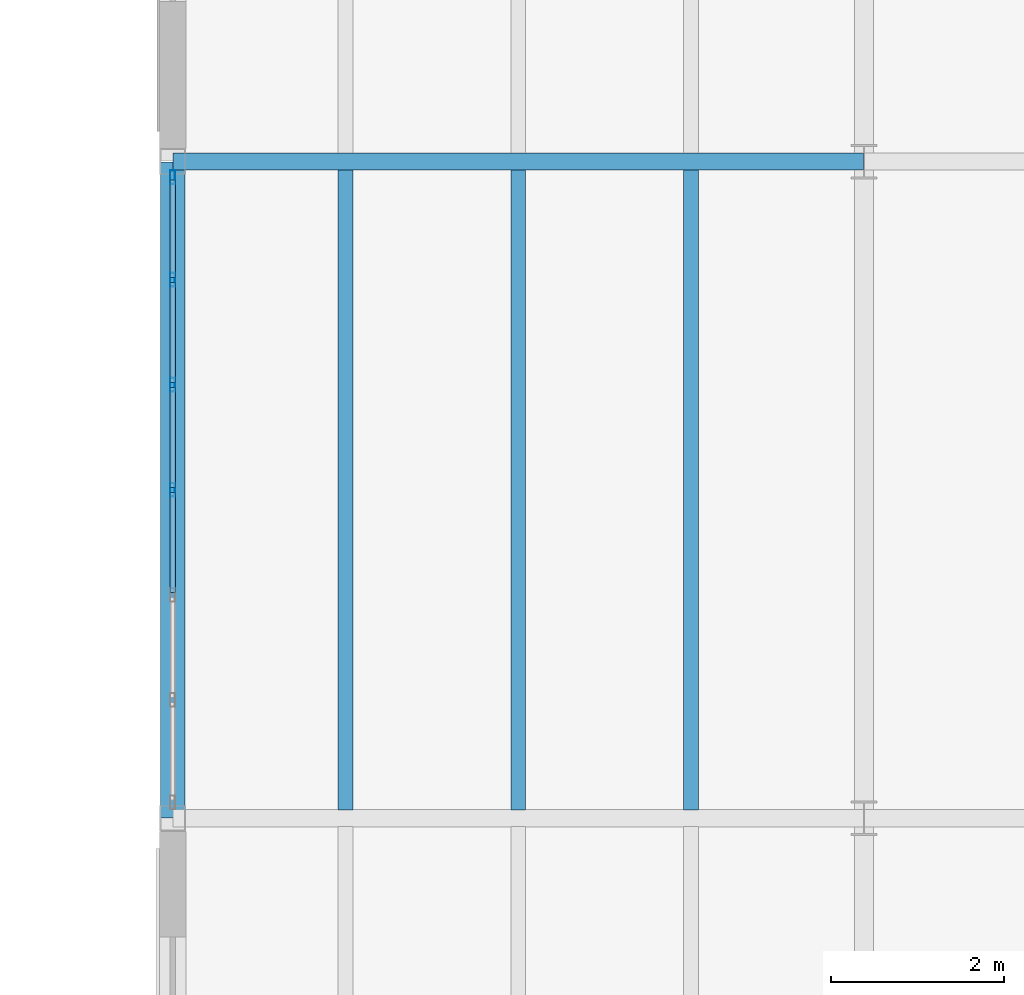
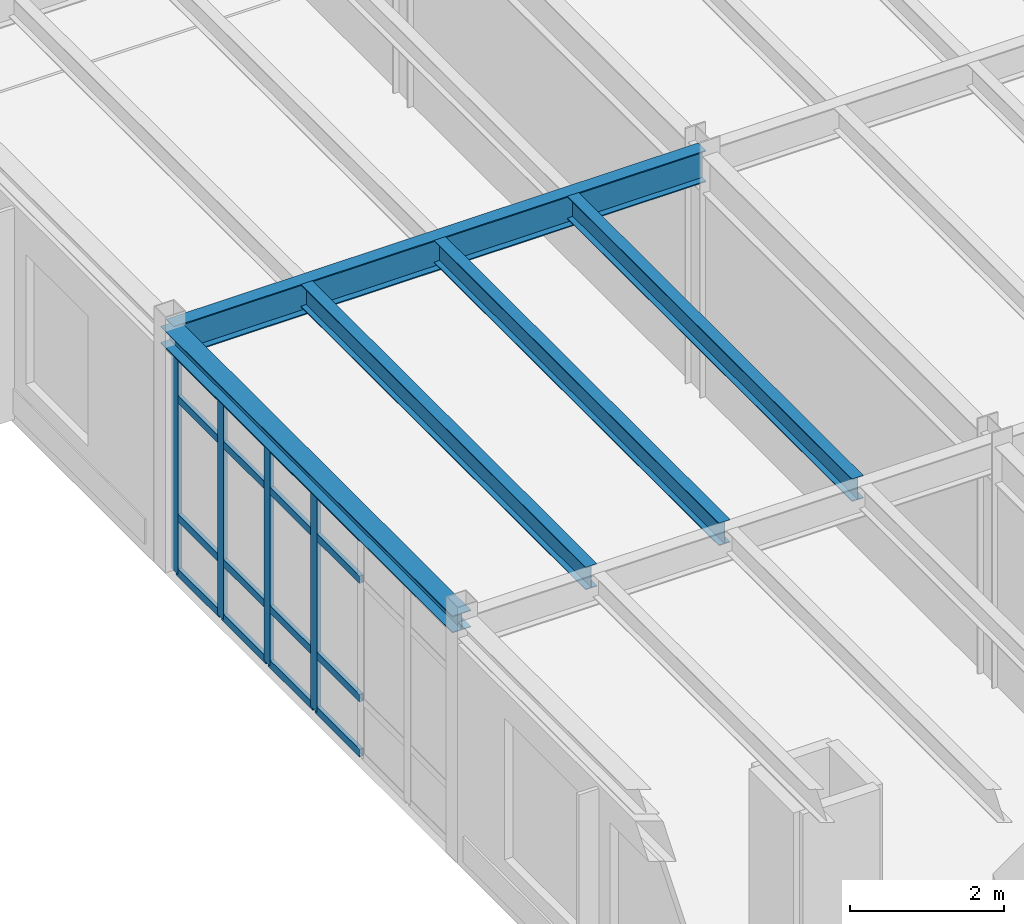
# One storey, part 96 of 165: 20 members, 5 beams, 1 element without a shape of its own.
"""IFC4 building model written with IfcOpenShell, lengths in metres."""

import ifcopenshell
import ifcopenshell.guid

model = None  # the IFC model being written
_history = None  # IfcOwnerHistory: only IFC2X3 demands one
_inside = {}  # id of a spatial element -> (the spatial element, [elements in it])
_under = {}  # id of a project, library or spatial element -> (it, [spatial elements below it])
_declared = {}  # id of a project -> (the project, [libraries it declares])
_typed = {}  # id of a type object -> (the type object, [elements of that type])
_made_of = {}  # id of a material, layer set ... -> (it, [elements and type objects made of it])


def new_model(schema):
    """Start an empty IFC model of exactly this schema.

    Asked for "IFC4X3", IfcOpenShell would pick the latest addendum, in which some entities
    have other attributes; the version numbers below select the first issue.
    IFC2X3 requires an IfcOwnerHistory on every rooted entity: one is made here for all.
    """
    global model, _history
    if schema == "IFC4X3":
        model = ifcopenshell.file(schema_version=(4, 3, 0, 0))
    else:
        model = ifcopenshell.file(schema=schema)
    _inside.clear()
    _under.clear()
    _declared.clear()
    _typed.clear()
    _made_of.clear()
    _history = None
    if model.schema == "IFC2X3":
        org = make("IfcOrganization", Name="unknown")
        user = make(
            "IfcPersonAndOrganization",
            ThePerson=make("IfcPerson", FamilyName="unknown"),
            TheOrganization=org,
        )
        app = make(
            "IfcApplication",
            ApplicationDeveloper=org,
            Version="unknown",
            ApplicationFullName="unknown",
            ApplicationIdentifier="unknown",
        )
        _history = make(
            "IfcOwnerHistory",
            OwningUser=user,
            OwningApplication=app,
            ChangeAction="ADDED",
            CreationDate=0,
        )
    return model


def make(cls, **values):
    """One entity of the class cls with the attributes given. An attribute that is None is left unset."""
    return model.create_entity(
        cls, **{name: value for name, value in values.items() if value is not None}
    )


def rooted(cls, **values):
    """An entity with a GlobalId (a new one), such as an element, a storey or a relation."""
    return make(cls, GlobalId=ifcopenshell.guid.new(), OwnerHistory=_history, **values)


def si_unit(unit_type, name, prefix=None):
    """IfcSIUnit, for example si_unit("LENGTHUNIT", "METRE", prefix="MILLI")."""
    return make("IfcSIUnit", UnitType=unit_type, Prefix=prefix, Name=name)


def assignment(units):
    """IfcUnitAssignment: the units of a project."""
    return None if units is None else make("IfcUnitAssignment", Units=units)


def point(xyz):
    """IfcCartesianPoint."""
    return None if xyz is None else make("IfcCartesianPoint", Coordinates=xyz)


def direction(xyz):
    """IfcDirection."""
    return None if xyz is None else make("IfcDirection", DirectionRatios=xyz)


def frame(location, z_axis=None, x_axis=None):
    """IfcAxis2Placement3D, a coordinate frame: its origin and axes. An axis left out is left unset."""
    return make(
        "IfcAxis2Placement3D",
        Location=point(location),
        Axis=direction(z_axis),
        RefDirection=direction(x_axis),
    )


def frame_2d(location, x_axis=None):
    """IfcAxis2Placement2D, a coordinate frame in the plane: its origin and x axis."""
    return make(
        "IfcAxis2Placement2D", Location=point(location), RefDirection=direction(x_axis)
    )


def origin():
    """The frame at (0, 0, 0) with its axes left unset."""
    return frame((0.0, 0.0, 0.0))


def origin_2d():
    """The frame at (0, 0) in the plane with its x axis left unset."""
    return frame_2d((0.0, 0.0))


def place(relative_to, where):
    """IfcLocalPlacement: puts the frame where relative to a parent placement (None: the world)."""
    return make(
        "IfcLocalPlacement", PlacementRelTo=relative_to, RelativePlacement=where
    )


def context(
    kind, dimensions, precision=None, world=None, true_north=None, identifier=None
):
    """IfcGeometricRepresentationContext, for example the 3D "Model" context."""
    return make(
        "IfcGeometricRepresentationContext",
        ContextIdentifier=identifier,
        ContextType=kind,
        CoordinateSpaceDimension=dimensions,
        Precision=precision,
        WorldCoordinateSystem=world,
        TrueNorth=true_north,
    )


def subcontext(parent, identifier, kind, view, scale=None):
    """IfcGeometricRepresentationSubContext, for example "Body" below "Model"."""
    return make(
        "IfcGeometricRepresentationSubContext",
        ContextIdentifier=identifier,
        ContextType=kind,
        ParentContext=parent,
        TargetScale=scale,
        TargetView=view,
    )


def project(units=None, contexts=None):
    """IfcProject with its units and contexts."""
    return rooted(
        "IfcProject",
        Name="project",
        RepresentationContexts=contexts,
        UnitsInContext=assignment(units),
    )


def spatial(cls, under=None, at=None, **own):
    """A site, building, storey or space (cls), placed at a placement, below another one or the project."""
    s = rooted(cls, ObjectPlacement=at, **own)
    if under is not None:
        _under.setdefault(under.id(), (under, []))[1].append(s)
    return s


def profile(cls, at=None, kind="AREA", **sizes):
    """A parametric profile (cls). Its sizes go by their IFC names, for example OverallWidth=200.0."""
    return make(cls, ProfileType=kind, Position=at, **sizes)


def hollow_rectangle(**sizes):
    """IfcRectangleHollowProfileDef."""
    return profile("IfcRectangleHollowProfileDef", **sizes)


def i_section(**sizes):
    """IfcIShapeProfileDef."""
    return profile("IfcIShapeProfileDef", **sizes)


def extrude(swept, where, along, depth):
    """IfcExtrudedAreaSolid: the profile swept, set in the frame where, extruded along a direction by depth."""
    return make(
        "IfcExtrudedAreaSolid",
        SweptArea=swept,
        Position=where,
        ExtrudedDirection=direction(along),
        Depth=depth,
    )


def shape(context_of_items, identifier, shape_type, items):
    """IfcShapeRepresentation: the items that make up one representation, for example the "Body"."""
    return make(
        "IfcShapeRepresentation",
        ContextOfItems=context_of_items,
        RepresentationIdentifier=identifier,
        RepresentationType=shape_type,
        Items=items,
    )


def material(Name=None, Category=None):
    """IfcMaterial."""
    return make("IfcMaterial", Name=Name, Category=Category)


def layer(
    of_material, thickness, ventilated=None, Name=None, Category=None, Priority=None
):
    """IfcMaterialLayer: one layer of a wall or slab, of a material (None: an air gap)."""
    return make(
        "IfcMaterialLayer",
        Material=of_material,
        LayerThickness=thickness,
        IsVentilated=ventilated,
        Name=Name,
        Category=Category,
        Priority=Priority,
    )


def layer_set(layers, Name=None):
    """IfcMaterialLayerSet."""
    return make("IfcMaterialLayerSet", MaterialLayers=layers, LayerSetName=Name)


def material_profile(
    of_material, cross_section, Name=None, Category=None, Priority=None
):
    """IfcMaterialProfile: a cross section and its material."""
    return make(
        "IfcMaterialProfile",
        Name=Name,
        Material=of_material,
        Profile=cross_section,
        Priority=Priority,
        Category=Category,
    )


def profile_set(profiles, Name=None, composite=None):
    """IfcMaterialProfileSet."""
    return make(
        "IfcMaterialProfileSet",
        Name=Name,
        MaterialProfiles=profiles,
        CompositeProfile=composite,
    )


def made_of(thing, what):
    """Note that an element or type object is made of a material, layer set ...; save() writes the relation."""
    if what is not None:
        _made_of.setdefault(what.id(), (what, []))[1].append(thing)
    return thing


def type_object(cls, material=None, **own):
    """A type object (cls), such as IfcWallType, which elements share."""
    return made_of(rooted(cls, **own), material)


def element(
    cls,
    number,
    at=None,
    inside=None,
    cuts=None,
    type_object=None,
    material=None,
    context=None,
    identifier="Body",
    shape_type=None,
    held_by="IfcProductDefinitionShape",
    body=None,
    shapes=None,
    **own,
):
    """One element of the class cls, such as IfcWall. Its Tag is "e" and its number.

    at: its placement. inside: the storey or other place that contains it. cuts: it is an
    opening in that element (IfcRelVoidsElement). A single representation is given by context,
    identifier, shape_type and body (its items); several are given by shapes. held_by: the class
    of the entity that holds the representations. save() writes the other relations.
    """
    e = rooted(cls, Tag="e%d" % number, ObjectPlacement=at, **own)
    if body is not None:
        shapes = [shape(context, identifier, shape_type, body)]
    if shapes is not None:
        e.Representation = make(held_by, Representations=shapes)
    if inside is not None:
        _inside.setdefault(inside.id(), (inside, []))[1].append(e)
    if cuts is not None:
        rooted(
            "IfcRelVoidsElement", RelatingBuildingElement=cuts, RelatedOpeningElement=e
        )
    if type_object is not None:
        _typed.setdefault(type_object.id(), (type_object, []))[1].append(e)
    return made_of(e, material)


def aggregate(whole, parts):
    """IfcRelAggregates: a whole, such as a stair, and the parts it consists of."""
    return rooted("IfcRelAggregates", RelatingObject=whole, RelatedObjects=parts)


def save(model, path):
    """Write the relations noted so far, then the file.

    IfcRelAggregates (storeys below a building ...), IfcRelContainedInSpatialStructure (elements
    in a storey), IfcRelDefinesByType, IfcRelAssociatesMaterial and IfcRelDeclares: one each for
    every whole, place, type object, material and project.
    """
    for whole, parts in _under.values():
        aggregate(whole, parts)
    for where, things in _inside.values():
        rooted(
            "IfcRelContainedInSpatialStructure",
            RelatedElements=things,
            RelatingStructure=where,
        )
    for kind, things in _typed.values():
        rooted("IfcRelDefinesByType", RelatedObjects=things, RelatingType=kind)
    for what, things in _made_of.values():
        rooted("IfcRelAssociatesMaterial", RelatedObjects=things, RelatingMaterial=what)
    for by, libraries in _declared.values():
        rooted("IfcRelDeclares", RelatingContext=by, RelatedDefinitions=libraries)
    model.write(path)


model = new_model("IFC4")

# Units and contexts
model_context = context("Model", 3, precision=1e-05, world=origin(), true_north=direction((0.0, 1.0)))
body_context = subcontext(model_context, "Body", "Model", "MODEL_VIEW")
ifc_project = project(units=[si_unit("LENGTHUNIT", "METRE"), si_unit("AREAUNIT", "SQUARE_METRE"), si_unit("VOLUMEUNIT", "CUBIC_METRE"), si_unit("PLANEANGLEUNIT", "RADIAN"), si_unit("MASSUNIT", "GRAM", prefix="KILO")], contexts=[model_context])

# Site, building, storey
site_placement = place(None, origin())
site = spatial("IfcSite", under=ifc_project, at=site_placement, CompositionType="ELEMENT")
building_placement = place(site_placement, origin())
building = spatial("IfcBuilding", under=site, at=building_placement, Name="Montecoro Central Library", CompositionType="ELEMENT")
storey_placement = place(building_placement, frame((0.0, 0.0, 5.10009765625)))
storey = spatial("IfcBuildingStorey", under=building, at=storey_placement, Name="L01", CompositionType="ELEMENT", Elevation=5.10009765625)

# Beams
ifc_material_1 = material(Name="Steel S355", Category="steel")
ifc_material_profile_1 = material_profile(ifc_material_1, i_section(OverallWidth=0.199951171875, OverallDepth=0.5, WebThickness=0.01025390625, FlangeThickness=0.01611328125, at=origin_2d()), Name="IPE 500")
ifc_profile_set_1 = profile_set([ifc_material_profile_1], Name="Steel S355")
beam_type_1 = type_object("IfcBeamType", Name="BM-G-IPE500", PredefinedType="USERDEFINED", material=ifc_profile_set_1)
beam_1_placement = place(storey_placement, frame((141.0048828125, 20.199951171875, 3.574951171875), z_axis=(1.0, 0.0, 0.0), x_axis=(0.0, 1.0, 0.0)))
element("IfcBeam", 1, at=beam_1_placement, inside=storey, type_object=beam_type_1, Name="V6-L01-BX-1819-C", ObjectType="GIRDER", PredefinedType="USERDEFINED", context=body_context, shape_type="SweptSolid", body=[
    extrude(i_section(OverallWidth=0.199951171875, OverallDepth=0.5, WebThickness=0.01025390625, FlangeThickness=0.01611328125, at=origin_2d()), origin(), (0.0, 0.0, 1.0), 7.990234375),
])
ifc_material_profile_2 = material_profile(ifc_material_1, i_section(OverallWidth=0.169921875, OverallDepth=0.360107421875, WebThickness=0.008056640625, FlangeThickness=0.0126953125, at=origin_2d()), Name="IPE 360")
ifc_profile_set_2 = profile_set([ifc_material_profile_2], Name="Steel S355")
beam_type_2 = type_object("IfcBeamType", Name="BM-J-IPE360", PredefinedType="JOIST", material=ifc_profile_set_2)
for number, where, z_axis, x_axis, name in (
    (2, (143.0, 12.697021484375, 3.64501953125), (0.0, 1.0, 0.0), (-1.0, 0.0, 0.0), "V6-L01-JS-1819-BC-1"),
    (3, (145.0, 12.697021484375, 3.64501953125), (0.0, 1.0, 0.0), (-1.0, 0.0, 0.0), "V6-L01-JS-1819-BC-2"),
    (4, (147.0, 12.697021484375, 3.64501953125), (0.0, 1.0, 0.0), (-1.0, 0.0, 0.0), "V6-L01-JS-1819-BC-3"),
):
    element("IfcBeam", number, at=place(storey_placement, frame(where, z_axis=z_axis, x_axis=x_axis)), inside=storey, type_object=beam_type_2, Name=name, PredefinedType="JOIST", context=body_context, shape_type="SweptSolid", body=[
        extrude(i_section(OverallWidth=0.169921875, OverallDepth=0.360107421875, WebThickness=0.008056640625, FlangeThickness=0.0126953125, at=origin_2d()), origin(), (0.0, 0.0, 1.0), 7.406005859375),
    ])
ifc_material_profile_3 = material_profile(ifc_material_1, i_section(OverallWidth=0.280029296875, OverallDepth=0.27001953125, WebThickness=0.008056640625, FlangeThickness=0.012939453125, at=origin_2d()), Name="HEA 280")
ifc_profile_set_3 = profile_set([ifc_material_profile_3], Name="Steel S355")
beam_type_3 = type_object("IfcBeamType", Name="BM-SP-HEA280", PredefinedType="SPANDREL", material=ifc_profile_set_3)
beam_2_placement = place(storey_placement, frame((141.0, 12.60498046875, 3.68994140625), z_axis=(0.0, 1.0, 0.0), x_axis=(-1.0, 0.0, 0.0)))
element("IfcBeam", 5, at=beam_2_placement, inside=storey, type_object=beam_type_3, Name="V6-L01-BY-18-BC", PredefinedType="SPANDREL", context=body_context, shape_type="SweptSolid", body=[
    extrude(i_section(OverallWidth=0.280029296875, OverallDepth=0.27001953125, WebThickness=0.008056640625, FlangeThickness=0.012939453125, at=origin_2d()), origin(), (0.0, 0.0, 1.0), 7.590087890625),
])

# Curtain wall, members
ifc_material_2 = material(Name="Bronze-anodised aluminium and low-E glazing", Category="aluminium")
ifc_layer = layer(ifc_material_2, 0.159912109375)
ifc_layer_set = layer_set([ifc_layer], Name="Bronze-anodised aluminium and low-E glazing")
curtain_wall_type = type_object("IfcCurtainWallType", Name="CWT-063", PredefinedType="NOTDEFINED", material=ifc_layer_set)
curtain_wall_placement = place(storey_placement, origin())
curtain_wall = element("IfcCurtainWall", 6, at=curtain_wall_placement, inside=storey, type_object=curtain_wall_type, Name="V6-L01-CW-W1", PredefinedType="NOTDEFINED")
ifc_material_3 = material(Name="Bronze-anodised aluminium", Category="aluminium")
ifc_material_profile_4 = material_profile(ifc_material_3, hollow_rectangle(XDim=0.06005859375, YDim=0.159912109375, WallThickness=0.00390625, at=origin_2d()), Name="CWM 160x60x4.0")
ifc_profile_set_4 = profile_set([ifc_material_profile_4], Name="Bronze-anodised aluminium")
member_type_1 = type_object("IfcMemberType", Name="CWM-BRZ-60", PredefinedType="MULLION", material=ifc_profile_set_4)
member_1_placement = place(storey_placement, frame((141.0, 20.01708984375, 0.0), z_axis=(0.0, 0.0, 1.0), x_axis=(1.0, 0.0, 0.0)))
member_1 = element("IfcMember", 7, at=member_1_placement, type_object=member_type_1, Name="CW-063 mullion 1", PredefinedType="MULLION", context=body_context, shape_type="SweptSolid", body=[
    extrude(hollow_rectangle(XDim=0.06005859375, YDim=0.159912109375, WallThickness=0.00390625, at=origin_2d()), origin(), (0.0, 0.0, 1.0), 3.47998046875),
])
member_2_placement = place(storey_placement, frame((141.0, 18.831298828125, 0.0), z_axis=(0.0, 0.0, 1.0), x_axis=(1.0, 0.0, 0.0)))
member_2 = element("IfcMember", 8, at=member_2_placement, type_object=member_type_1, Name="CW-063 mullion 2", PredefinedType="MULLION", context=body_context, shape_type="SweptSolid", body=[
    extrude(hollow_rectangle(XDim=0.06005859375, YDim=0.159912109375, WallThickness=0.00390625, at=origin_2d()), origin(), (0.0, 0.0, 1.0), 3.47998046875),
])
member_3_placement = place(storey_placement, frame((141.0, 17.61572265625, 0.0), z_axis=(0.0, 0.0, 1.0), x_axis=(1.0, 0.0, 0.0)))
member_3 = element("IfcMember", 9, at=member_3_placement, type_object=member_type_1, Name="CW-063 mullion 3", PredefinedType="MULLION", context=body_context, shape_type="SweptSolid", body=[
    extrude(hollow_rectangle(XDim=0.06005859375, YDim=0.159912109375, WallThickness=0.00390625, at=origin_2d()), origin(), (0.0, 0.0, 1.0), 3.47998046875),
])
member_4_placement = place(storey_placement, frame((141.0, 16.39990234375, 0.0), z_axis=(0.0, 0.0, 1.0), x_axis=(1.0, 0.0, 0.0)))
member_4 = element("IfcMember", 10, at=member_4_placement, type_object=member_type_1, Name="CW-063 mullion 4", PredefinedType="MULLION", context=body_context, shape_type="SweptSolid", body=[
    extrude(hollow_rectangle(XDim=0.06005859375, YDim=0.159912109375, WallThickness=0.00390625, at=origin_2d()), origin(), (0.0, 0.0, 1.0), 3.47998046875),
])
ifc_material_profile_5 = material_profile(ifc_material_3, hollow_rectangle(XDim=0.06005859375, YDim=0.1201171875, WallThickness=0.00390625, at=origin_2d()), Name="CWT 120x60x4.0")
ifc_profile_set_5 = profile_set([ifc_material_profile_5], Name="Bronze-anodised aluminium")
member_type_2 = type_object("IfcMemberType", Name="CWT-BRZ-60", PredefinedType="USERDEFINED", material=ifc_profile_set_5)
member_5_placement = place(storey_placement, frame((141.0, 19.987060546875, 0.02978515625), z_axis=(0.0, -1.0, 0.0), x_axis=(1.0, 0.0, 0.0)))
member_5 = element("IfcMember", 11, at=member_5_placement, type_object=member_type_2, Name="CW-063 transom 1.1", ObjectType="TRANSOM", PredefinedType="USERDEFINED", context=body_context, shape_type="SweptSolid", body=[
    extrude(hollow_rectangle(XDim=0.06005859375, YDim=0.1201171875, WallThickness=0.00390625, at=origin_2d()), origin(), (0.0, 0.0, 1.0), 1.125732421875),
])
member_6_placement = place(storey_placement, frame((141.0, 19.987060546875, 0.89990234375), z_axis=(0.0, -1.0, 0.0), x_axis=(1.0, 0.0, 0.0)))
member_6 = element("IfcMember", 12, at=member_6_placement, type_object=member_type_2, Name="CW-063 transom 1.2", ObjectType="TRANSOM", PredefinedType="USERDEFINED", context=body_context, shape_type="SweptSolid", body=[
    extrude(hollow_rectangle(XDim=0.06005859375, YDim=0.1201171875, WallThickness=0.00390625, at=origin_2d()), origin(), (0.0, 0.0, 1.0), 1.125732421875),
])
member_7_placement = place(storey_placement, frame((141.0, 19.987060546875, 2.77978515625), z_axis=(0.0, -1.0, 0.0), x_axis=(1.0, 0.0, 0.0)))
member_7 = element("IfcMember", 13, at=member_7_placement, type_object=member_type_2, Name="CW-063 transom 1.3", ObjectType="TRANSOM", PredefinedType="USERDEFINED", context=body_context, shape_type="SweptSolid", body=[
    extrude(hollow_rectangle(XDim=0.06005859375, YDim=0.1201171875, WallThickness=0.00390625, at=origin_2d()), origin(), (0.0, 0.0, 1.0), 1.125732421875),
])
member_8_placement = place(storey_placement, frame((141.0, 19.987060546875, 3.449951171875), z_axis=(0.0, -1.0, 0.0), x_axis=(1.0, 0.0, 0.0)))
member_8 = element("IfcMember", 14, at=member_8_placement, type_object=member_type_2, Name="CW-063 transom 1.4", ObjectType="TRANSOM", PredefinedType="USERDEFINED", context=body_context, shape_type="SweptSolid", body=[
    extrude(hollow_rectangle(XDim=0.06005859375, YDim=0.1201171875, WallThickness=0.00390625, at=origin_2d()), origin(), (0.0, 0.0, 1.0), 1.125732421875),
])
member_9_placement = place(storey_placement, frame((141.0, 18.80126953125, 0.02978515625), z_axis=(0.0, -1.0, 0.0), x_axis=(1.0, 0.0, 0.0)))
member_9 = element("IfcMember", 15, at=member_9_placement, type_object=member_type_2, Name="CW-063 transom 2.1", ObjectType="TRANSOM", PredefinedType="USERDEFINED", context=body_context, shape_type="SweptSolid", body=[
    extrude(hollow_rectangle(XDim=0.06005859375, YDim=0.1201171875, WallThickness=0.00390625, at=origin_2d()), origin(), (0.0, 0.0, 1.0), 1.155517578125),
])
member_10_placement = place(storey_placement, frame((141.0, 18.80126953125, 0.89990234375), z_axis=(0.0, -1.0, 0.0), x_axis=(1.0, 0.0, 0.0)))
member_10 = element("IfcMember", 16, at=member_10_placement, type_object=member_type_2, Name="CW-063 transom 2.2", ObjectType="TRANSOM", PredefinedType="USERDEFINED", context=body_context, shape_type="SweptSolid", body=[
    extrude(hollow_rectangle(XDim=0.06005859375, YDim=0.1201171875, WallThickness=0.00390625, at=origin_2d()), origin(), (0.0, 0.0, 1.0), 1.155517578125),
])
member_11_placement = place(storey_placement, frame((141.0, 18.80126953125, 2.77978515625), z_axis=(0.0, -1.0, 0.0), x_axis=(1.0, 0.0, 0.0)))
member_11 = element("IfcMember", 17, at=member_11_placement, type_object=member_type_2, Name="CW-063 transom 2.3", ObjectType="TRANSOM", PredefinedType="USERDEFINED", context=body_context, shape_type="SweptSolid", body=[
    extrude(hollow_rectangle(XDim=0.06005859375, YDim=0.1201171875, WallThickness=0.00390625, at=origin_2d()), origin(), (0.0, 0.0, 1.0), 1.155517578125),
])
member_12_placement = place(storey_placement, frame((141.0, 18.80126953125, 3.449951171875), z_axis=(0.0, -1.0, 0.0), x_axis=(1.0, 0.0, 0.0)))
member_12 = element("IfcMember", 18, at=member_12_placement, type_object=member_type_2, Name="CW-063 transom 2.4", ObjectType="TRANSOM", PredefinedType="USERDEFINED", context=body_context, shape_type="SweptSolid", body=[
    extrude(hollow_rectangle(XDim=0.06005859375, YDim=0.1201171875, WallThickness=0.00390625, at=origin_2d()), origin(), (0.0, 0.0, 1.0), 1.155517578125),
])
member_13_placement = place(storey_placement, frame((141.0, 17.585693359375, 0.02978515625), z_axis=(0.0, -1.0, 0.0), x_axis=(1.0, 0.0, 0.0)))
member_13 = element("IfcMember", 19, at=member_13_placement, type_object=member_type_2, Name="CW-063 transom 3.1", ObjectType="TRANSOM", PredefinedType="USERDEFINED", context=body_context, shape_type="SweptSolid", body=[
    extrude(hollow_rectangle(XDim=0.06005859375, YDim=0.1201171875, WallThickness=0.00390625, at=origin_2d()), origin(), (0.0, 0.0, 1.0), 1.15576171875),
])
member_14_placement = place(storey_placement, frame((141.0, 17.585693359375, 0.89990234375), z_axis=(0.0, -1.0, 0.0), x_axis=(1.0, 0.0, 0.0)))
member_14 = element("IfcMember", 20, at=member_14_placement, type_object=member_type_2, Name="CW-063 transom 3.2", ObjectType="TRANSOM", PredefinedType="USERDEFINED", context=body_context, shape_type="SweptSolid", body=[
    extrude(hollow_rectangle(XDim=0.06005859375, YDim=0.1201171875, WallThickness=0.00390625, at=origin_2d()), origin(), (0.0, 0.0, 1.0), 1.15576171875),
])
member_15_placement = place(storey_placement, frame((141.0, 17.585693359375, 2.77978515625), z_axis=(0.0, -1.0, 0.0), x_axis=(1.0, 0.0, 0.0)))
member_15 = element("IfcMember", 21, at=member_15_placement, type_object=member_type_2, Name="CW-063 transom 3.3", ObjectType="TRANSOM", PredefinedType="USERDEFINED", context=body_context, shape_type="SweptSolid", body=[
    extrude(hollow_rectangle(XDim=0.06005859375, YDim=0.1201171875, WallThickness=0.00390625, at=origin_2d()), origin(), (0.0, 0.0, 1.0), 1.15576171875),
])
member_16_placement = place(storey_placement, frame((141.0, 17.585693359375, 3.449951171875), z_axis=(0.0, -1.0, 0.0), x_axis=(1.0, 0.0, 0.0)))
member_16 = element("IfcMember", 22, at=member_16_placement, type_object=member_type_2, Name="CW-063 transom 3.4", ObjectType="TRANSOM", PredefinedType="USERDEFINED", context=body_context, shape_type="SweptSolid", body=[
    extrude(hollow_rectangle(XDim=0.06005859375, YDim=0.1201171875, WallThickness=0.00390625, at=origin_2d()), origin(), (0.0, 0.0, 1.0), 1.15576171875),
])
member_17_placement = place(storey_placement, frame((141.0, 16.3701171875, 0.02978515625), z_axis=(0.0, -1.0, 0.0), x_axis=(1.0, 0.0, 0.0)))
member_17 = element("IfcMember", 23, at=member_17_placement, type_object=member_type_2, Name="CW-063 transom 4.1", ObjectType="TRANSOM", PredefinedType="USERDEFINED", context=body_context, shape_type="SweptSolid", body=[
    extrude(hollow_rectangle(XDim=0.06005859375, YDim=0.1201171875, WallThickness=0.00390625, at=origin_2d()), origin(), (0.0, 0.0, 1.0), 1.15576171875),
])
member_18_placement = place(storey_placement, frame((141.0, 16.3701171875, 0.89990234375), z_axis=(0.0, -1.0, 0.0), x_axis=(1.0, 0.0, 0.0)))
member_18 = element("IfcMember", 24, at=member_18_placement, type_object=member_type_2, Name="CW-063 transom 4.2", ObjectType="TRANSOM", PredefinedType="USERDEFINED", context=body_context, shape_type="SweptSolid", body=[
    extrude(hollow_rectangle(XDim=0.06005859375, YDim=0.1201171875, WallThickness=0.00390625, at=origin_2d()), origin(), (0.0, 0.0, 1.0), 1.15576171875),
])
member_19_placement = place(storey_placement, frame((141.0, 16.3701171875, 2.77978515625), z_axis=(0.0, -1.0, 0.0), x_axis=(1.0, 0.0, 0.0)))
member_19 = element("IfcMember", 25, at=member_19_placement, type_object=member_type_2, Name="CW-063 transom 4.3", ObjectType="TRANSOM", PredefinedType="USERDEFINED", context=body_context, shape_type="SweptSolid", body=[
    extrude(hollow_rectangle(XDim=0.06005859375, YDim=0.1201171875, WallThickness=0.00390625, at=origin_2d()), origin(), (0.0, 0.0, 1.0), 1.15576171875),
])
member_20_placement = place(storey_placement, frame((141.0, 16.3701171875, 3.449951171875), z_axis=(0.0, -1.0, 0.0), x_axis=(1.0, 0.0, 0.0)))
member_20 = element("IfcMember", 26, at=member_20_placement, type_object=member_type_2, Name="CW-063 transom 4.4", ObjectType="TRANSOM", PredefinedType="USERDEFINED", context=body_context, shape_type="SweptSolid", body=[
    extrude(hollow_rectangle(XDim=0.06005859375, YDim=0.1201171875, WallThickness=0.00390625, at=origin_2d()), origin(), (0.0, 0.0, 1.0), 1.15576171875),
])
aggregate(curtain_wall, [member_1, member_2, member_3, member_4, member_5, member_6, member_7, member_8, member_9, member_10, member_11, member_12, member_13, member_14, member_15, member_16, member_17, member_18, member_19, member_20])

save(model, "model.ifc")
